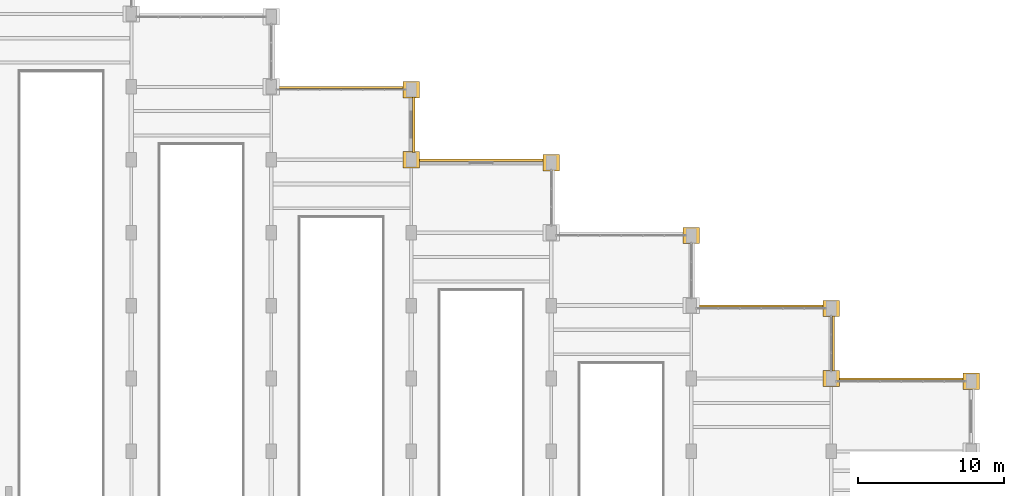
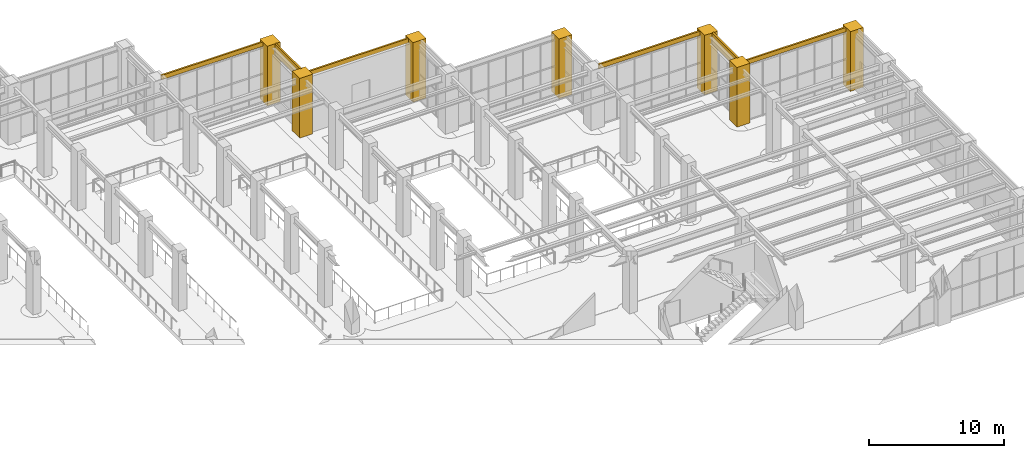
# One storey, part 163 of 164: 13 coverings.
"""IFC4 building model written with IfcOpenShell, lengths in metres."""

import ifcopenshell
import ifcopenshell.guid

model = None  # the IFC model being written
_history = None  # IfcOwnerHistory: only IFC2X3 demands one
_inside = {}  # id of a spatial element -> (the spatial element, [elements in it])
_under = {}  # id of a project, library or spatial element -> (it, [spatial elements below it])
_declared = {}  # id of a project -> (the project, [libraries it declares])
_typed = {}  # id of a type object -> (the type object, [elements of that type])
_made_of = {}  # id of a material, layer set ... -> (it, [elements and type objects made of it])


def new_model(schema):
    """Start an empty IFC model of exactly this schema.

    Asked for "IFC4X3", IfcOpenShell would pick the latest addendum, in which some entities
    have other attributes; the version numbers below select the first issue.
    IFC2X3 requires an IfcOwnerHistory on every rooted entity: one is made here for all.
    """
    global model, _history
    if schema == "IFC4X3":
        model = ifcopenshell.file(schema_version=(4, 3, 0, 0))
    else:
        model = ifcopenshell.file(schema=schema)
    _inside.clear()
    _under.clear()
    _declared.clear()
    _typed.clear()
    _made_of.clear()
    _history = None
    if model.schema == "IFC2X3":
        org = make("IfcOrganization", Name="unknown")
        user = make(
            "IfcPersonAndOrganization",
            ThePerson=make("IfcPerson", FamilyName="unknown"),
            TheOrganization=org,
        )
        app = make(
            "IfcApplication",
            ApplicationDeveloper=org,
            Version="unknown",
            ApplicationFullName="unknown",
            ApplicationIdentifier="unknown",
        )
        _history = make(
            "IfcOwnerHistory",
            OwningUser=user,
            OwningApplication=app,
            ChangeAction="ADDED",
            CreationDate=0,
        )
    return model


def make(cls, **values):
    """One entity of the class cls with the attributes given. An attribute that is None is left unset."""
    return model.create_entity(
        cls, **{name: value for name, value in values.items() if value is not None}
    )


def rooted(cls, **values):
    """An entity with a GlobalId (a new one), such as an element, a storey or a relation."""
    return make(cls, GlobalId=ifcopenshell.guid.new(), OwnerHistory=_history, **values)


def si_unit(unit_type, name, prefix=None):
    """IfcSIUnit, for example si_unit("LENGTHUNIT", "METRE", prefix="MILLI")."""
    return make("IfcSIUnit", UnitType=unit_type, Prefix=prefix, Name=name)


def assignment(units):
    """IfcUnitAssignment: the units of a project."""
    return None if units is None else make("IfcUnitAssignment", Units=units)


def point(xyz):
    """IfcCartesianPoint."""
    return None if xyz is None else make("IfcCartesianPoint", Coordinates=xyz)


def direction(xyz):
    """IfcDirection."""
    return None if xyz is None else make("IfcDirection", DirectionRatios=xyz)


def frame(location, z_axis=None, x_axis=None):
    """IfcAxis2Placement3D, a coordinate frame: its origin and axes. An axis left out is left unset."""
    return make(
        "IfcAxis2Placement3D",
        Location=point(location),
        Axis=direction(z_axis),
        RefDirection=direction(x_axis),
    )


def origin():
    """The frame at (0, 0, 0) with its axes left unset."""
    return frame((0.0, 0.0, 0.0))


def place(relative_to, where):
    """IfcLocalPlacement: puts the frame where relative to a parent placement (None: the world)."""
    return make(
        "IfcLocalPlacement", PlacementRelTo=relative_to, RelativePlacement=where
    )


def context(
    kind, dimensions, precision=None, world=None, true_north=None, identifier=None
):
    """IfcGeometricRepresentationContext, for example the 3D "Model" context."""
    return make(
        "IfcGeometricRepresentationContext",
        ContextIdentifier=identifier,
        ContextType=kind,
        CoordinateSpaceDimension=dimensions,
        Precision=precision,
        WorldCoordinateSystem=world,
        TrueNorth=true_north,
    )


def subcontext(parent, identifier, kind, view, scale=None):
    """IfcGeometricRepresentationSubContext, for example "Body" below "Model"."""
    return make(
        "IfcGeometricRepresentationSubContext",
        ContextIdentifier=identifier,
        ContextType=kind,
        ParentContext=parent,
        TargetScale=scale,
        TargetView=view,
    )


def project(units=None, contexts=None):
    """IfcProject with its units and contexts."""
    return rooted(
        "IfcProject",
        Name="project",
        RepresentationContexts=contexts,
        UnitsInContext=assignment(units),
    )


def spatial(cls, under=None, at=None, **own):
    """A site, building, storey or space (cls), placed at a placement, below another one or the project."""
    s = rooted(cls, ObjectPlacement=at, **own)
    if under is not None:
        _under.setdefault(under.id(), (under, []))[1].append(s)
    return s


def polyline(points):
    """IfcPolyline through the points."""
    return make("IfcPolyline", Points=[point(p) for p in points])


def outline(outer, holes=None, kind="AREA"):
    """IfcArbitraryClosedProfileDef: a profile drawn as a closed curve; with holes, ...WithVoids."""
    if holes is None:
        return make("IfcArbitraryClosedProfileDef", ProfileType=kind, OuterCurve=outer)
    return make(
        "IfcArbitraryProfileDefWithVoids",
        ProfileType=kind,
        OuterCurve=outer,
        InnerCurves=holes,
    )


def extrude(swept, where, along, depth):
    """IfcExtrudedAreaSolid: the profile swept, set in the frame where, extruded along a direction by depth."""
    return make(
        "IfcExtrudedAreaSolid",
        SweptArea=swept,
        Position=where,
        ExtrudedDirection=direction(along),
        Depth=depth,
    )


def shape(context_of_items, identifier, shape_type, items):
    """IfcShapeRepresentation: the items that make up one representation, for example the "Body"."""
    return make(
        "IfcShapeRepresentation",
        ContextOfItems=context_of_items,
        RepresentationIdentifier=identifier,
        RepresentationType=shape_type,
        Items=items,
    )


def material(Name=None, Category=None):
    """IfcMaterial."""
    return make("IfcMaterial", Name=Name, Category=Category)


def layer(
    of_material, thickness, ventilated=None, Name=None, Category=None, Priority=None
):
    """IfcMaterialLayer: one layer of a wall or slab, of a material (None: an air gap)."""
    return make(
        "IfcMaterialLayer",
        Material=of_material,
        LayerThickness=thickness,
        IsVentilated=ventilated,
        Name=Name,
        Category=Category,
        Priority=Priority,
    )


def layer_set(layers, Name=None):
    """IfcMaterialLayerSet."""
    return make("IfcMaterialLayerSet", MaterialLayers=layers, LayerSetName=Name)


def made_of(thing, what):
    """Note that an element or type object is made of a material, layer set ...; save() writes the relation."""
    if what is not None:
        _made_of.setdefault(what.id(), (what, []))[1].append(thing)
    return thing


def type_object(cls, material=None, **own):
    """A type object (cls), such as IfcWallType, which elements share."""
    return made_of(rooted(cls, **own), material)


def element(
    cls,
    number,
    at=None,
    inside=None,
    cuts=None,
    type_object=None,
    material=None,
    context=None,
    identifier="Body",
    shape_type=None,
    held_by="IfcProductDefinitionShape",
    body=None,
    shapes=None,
    **own,
):
    """One element of the class cls, such as IfcWall. Its Tag is "e" and its number.

    at: its placement. inside: the storey or other place that contains it. cuts: it is an
    opening in that element (IfcRelVoidsElement). A single representation is given by context,
    identifier, shape_type and body (its items); several are given by shapes. held_by: the class
    of the entity that holds the representations. save() writes the other relations.
    """
    e = rooted(cls, Tag="e%d" % number, ObjectPlacement=at, **own)
    if body is not None:
        shapes = [shape(context, identifier, shape_type, body)]
    if shapes is not None:
        e.Representation = make(held_by, Representations=shapes)
    if inside is not None:
        _inside.setdefault(inside.id(), (inside, []))[1].append(e)
    if cuts is not None:
        rooted(
            "IfcRelVoidsElement", RelatingBuildingElement=cuts, RelatedOpeningElement=e
        )
    if type_object is not None:
        _typed.setdefault(type_object.id(), (type_object, []))[1].append(e)
    return made_of(e, material)


def aggregate(whole, parts):
    """IfcRelAggregates: a whole, such as a stair, and the parts it consists of."""
    return rooted("IfcRelAggregates", RelatingObject=whole, RelatedObjects=parts)


def save(model, path):
    """Write the relations noted so far, then the file.

    IfcRelAggregates (storeys below a building ...), IfcRelContainedInSpatialStructure (elements
    in a storey), IfcRelDefinesByType, IfcRelAssociatesMaterial and IfcRelDeclares: one each for
    every whole, place, type object, material and project.
    """
    for whole, parts in _under.values():
        aggregate(whole, parts)
    for where, things in _inside.values():
        rooted(
            "IfcRelContainedInSpatialStructure",
            RelatedElements=things,
            RelatingStructure=where,
        )
    for kind, things in _typed.values():
        rooted("IfcRelDefinesByType", RelatedObjects=things, RelatingType=kind)
    for what, things in _made_of.values():
        rooted("IfcRelAssociatesMaterial", RelatedObjects=things, RelatingMaterial=what)
    for by, libraries in _declared.values():
        rooted("IfcRelDeclares", RelatingContext=by, RelatedDefinitions=libraries)
    model.write(path)


model = new_model("IFC4")

# Units and contexts
model_context = context("Model", 3, precision=1e-05, world=origin(), true_north=direction((0.0, 1.0)))
body_context = subcontext(model_context, "Body", "Model", "MODEL_VIEW")
ifc_project = project(units=[si_unit("LENGTHUNIT", "METRE"), si_unit("AREAUNIT", "SQUARE_METRE"), si_unit("VOLUMEUNIT", "CUBIC_METRE"), si_unit("PLANEANGLEUNIT", "RADIAN"), si_unit("MASSUNIT", "GRAM", prefix="KILO")], contexts=[model_context])

# Site, building, storey
site_placement = place(None, origin())
site = spatial("IfcSite", under=ifc_project, at=site_placement, CompositionType="ELEMENT")
building_placement = place(site_placement, origin())
building = spatial("IfcBuilding", under=site, at=building_placement, Name="Mavantir Sound Aquarium", CompositionType="ELEMENT")
storey_placement = place(building_placement, origin())
storey = spatial("IfcBuildingStorey", under=building, at=storey_placement, Name="L00", CompositionType="ELEMENT", Elevation=0.0)

# Coverings
ifc_material = material(Name="Honed Coral-Limestone & Glazed Terracotta Rainscreen Cladding", Category="masonry")
ifc_layer = layer(ifc_material, 0.06005859375, Name="Honed Coral-Limestone & Glazed Terracotta Rainscreen Cladding")
ifc_layer_set = layer_set([ifc_layer], Name="Honed Coral-Limestone & Glazed Terracotta Rainscreen Cladding")
covering_type = type_object("IfcCoveringType", Name="COV-CLAD-TC", PredefinedType="CLADDING", material=ifc_layer_set)
covering_1_placement = place(storey_placement, frame((0.0, 0.0, 5.010009765625)))
element("IfcCovering", 1, at=covering_1_placement, inside=storey, type_object=covering_type, Name="L00 Postmodern coral-limestone spandrel frieze 66", PredefinedType="CLADDING", context=body_context, shape_type="SweptSolid", body=[
    extrude(outline(polyline([(146.0419921875, 80.68994140625), (137.157958984375, 80.68994140625), (137.157958984375, 80.840087890625), (146.0419921875, 80.840087890625), (146.0419921875, 80.68994140625)])), origin(), (0.0, 0.0, 1.0), 0.389892578125),
])
covering_2_placement = place(storey_placement, frame((0.0, 0.0, 4.39501953125)))
element("IfcCovering", 2, at=covering_2_placement, inside=storey, type_object=covering_type, Name="L00 Postmodern coral-limestone spandrel frieze 67", PredefinedType="CLADDING", context=body_context, shape_type="SweptSolid", body=[
    extrude(outline(polyline([(136.889892578125, 81.30810546875), (136.889892578125, 85.092041015625), (137.0400390625, 85.092041015625), (137.0400390625, 81.30810546875), (136.889892578125, 81.30810546875)])), origin(), (0.0, 0.0, 1.0), 1.0048828125),
])
covering_3_placement = place(storey_placement, frame((0.0, 0.0, 5.010009765625)))
element("IfcCovering", 3, at=covering_3_placement, inside=storey, type_object=covering_type, Name="L00 Postmodern coral-limestone spandrel frieze 68", PredefinedType="CLADDING", context=body_context, shape_type="SweptSolid", body=[
    extrude(outline(polyline([(136.44189453125, 85.68994140625), (127.55810546875, 85.68994140625), (127.55810546875, 85.840087890625), (136.44189453125, 85.840087890625), (136.44189453125, 85.68994140625)])), origin(), (0.0, 0.0, 1.0), 0.389892578125),
])
covering_4_placement = place(storey_placement, frame((0.0, 0.0, 5.010009765625)))
element("IfcCovering", 4, at=covering_4_placement, inside=storey, type_object=covering_type, Name="L00 Postmodern coral-limestone spandrel frieze 96", PredefinedType="CLADDING", context=body_context, shape_type="SweptSolid", body=[
    extrude(outline(polyline([(174.842041015625, 65.68994140625), (165.9580078125, 65.68994140625), (165.9580078125, 65.840087890625), (174.842041015625, 65.840087890625), (174.842041015625, 65.68994140625)])), origin(), (0.0, 0.0, 1.0), 0.389892578125),
])
covering_5_placement = place(storey_placement, frame((0.0, 0.0, 4.39501953125)))
element("IfcCovering", 5, at=covering_5_placement, inside=storey, type_object=covering_type, Name="L00 Postmodern coral-limestone spandrel frieze 97", PredefinedType="CLADDING", context=body_context, shape_type="SweptSolid", body=[
    extrude(outline(polyline([(165.68994140625, 66.30810546875), (165.68994140625, 70.092041015625), (165.840087890625, 70.092041015625), (165.840087890625, 66.30810546875), (165.68994140625, 66.30810546875)])), origin(), (0.0, 0.0, 1.0), 1.0048828125),
])
covering_6_placement = place(storey_placement, frame((0.0, 0.0, 5.010009765625)))
element("IfcCovering", 6, at=covering_6_placement, inside=storey, type_object=covering_type, Name="L00 Postmodern coral-limestone spandrel frieze 98", PredefinedType="CLADDING", context=body_context, shape_type="SweptSolid", body=[
    extrude(outline(polyline([(165.241943359375, 70.68994140625), (156.35791015625, 70.68994140625), (156.35791015625, 70.840087890625), (165.241943359375, 70.840087890625), (165.241943359375, 70.68994140625)])), origin(), (0.0, 0.0, 1.0), 0.389892578125),
])
covering_7_placement = place(storey_placement, origin())
element("IfcCovering", 7, at=covering_7_placement, inside=storey, type_object=covering_type, Name="L00 Postmodern coral-limestone pilaster casing 281", PredefinedType="CLADDING", context=body_context, shape_type="SweptSolid", body=[
    extrude(outline(polyline([(136.239990234375, 80.239990234375), (137.360107421875, 80.239990234375), (137.360107421875, 81.360107421875), (136.239990234375, 81.360107421875), (136.239990234375, 80.239990234375)])), origin(), (0.0, 0.0, 1.0), 5.39990234375),
])
covering_8_placement = place(storey_placement, origin())
element("IfcCovering", 8, at=covering_8_placement, inside=storey, type_object=covering_type, Name="L00 Postmodern coral-limestone pilaster casing 285", PredefinedType="CLADDING", context=body_context, shape_type="SweptSolid", body=[
    extrude(outline(polyline([(136.239990234375, 85.0400390625), (137.360107421875, 85.0400390625), (137.360107421875, 86.159912109375), (136.239990234375, 86.159912109375), (136.239990234375, 85.0400390625)])), origin(), (0.0, 0.0, 1.0), 5.39990234375),
])
covering_9_placement = place(storey_placement, origin())
element("IfcCovering", 9, at=covering_9_placement, inside=storey, type_object=covering_type, Name="L00 Postmodern coral-limestone pilaster casing 297", PredefinedType="CLADDING", context=body_context, shape_type="SweptSolid", body=[
    extrude(outline(polyline([(145.840087890625, 80.0400390625), (146.9599609375, 80.0400390625), (146.9599609375, 81.159912109375), (145.840087890625, 81.159912109375), (145.840087890625, 80.0400390625)])), origin(), (0.0, 0.0, 1.0), 5.39990234375),
])
covering_10_placement = place(storey_placement, origin())
element("IfcCovering", 10, at=covering_10_placement, inside=storey, type_object=covering_type, Name="L00 Postmodern coral-limestone pilaster casing 309", PredefinedType="CLADDING", context=body_context, shape_type="SweptSolid", body=[
    extrude(outline(polyline([(155.43994140625, 75.0400390625), (156.56005859375, 75.0400390625), (156.56005859375, 76.159912109375), (155.43994140625, 76.159912109375), (155.43994140625, 75.0400390625)])), origin(), (0.0, 0.0, 1.0), 5.39990234375),
])
covering_11_placement = place(storey_placement, origin())
element("IfcCovering", 11, at=covering_11_placement, inside=storey, type_object=covering_type, Name="L00 Postmodern coral-limestone pilaster casing 317", PredefinedType="CLADDING", context=body_context, shape_type="SweptSolid", body=[
    extrude(outline(polyline([(165.0400390625, 65.239990234375), (166.159912109375, 65.239990234375), (166.159912109375, 66.360107421875), (165.0400390625, 66.360107421875), (165.0400390625, 65.239990234375)])), origin(), (0.0, 0.0, 1.0), 5.39990234375),
])
covering_12_placement = place(storey_placement, origin())
element("IfcCovering", 12, at=covering_12_placement, inside=storey, type_object=covering_type, Name="L00 Postmodern coral-limestone pilaster casing 321", PredefinedType="CLADDING", context=body_context, shape_type="SweptSolid", body=[
    extrude(outline(polyline([(165.0400390625, 70.0400390625), (166.159912109375, 70.0400390625), (166.159912109375, 71.159912109375), (165.0400390625, 71.159912109375), (165.0400390625, 70.0400390625)])), origin(), (0.0, 0.0, 1.0), 5.39990234375),
])
covering_13_placement = place(storey_placement, origin())
element("IfcCovering", 13, at=covering_13_placement, inside=storey, type_object=covering_type, Name="L00 Postmodern coral-limestone pilaster casing 341", PredefinedType="CLADDING", context=body_context, shape_type="SweptSolid", body=[
    extrude(outline(polyline([(174.639892578125, 65.0400390625), (175.760009765625, 65.0400390625), (175.760009765625, 66.159912109375), (174.639892578125, 66.159912109375), (174.639892578125, 65.0400390625)])), origin(), (0.0, 0.0, 1.0), 5.39990234375),
])

save(model, "model.ifc")
